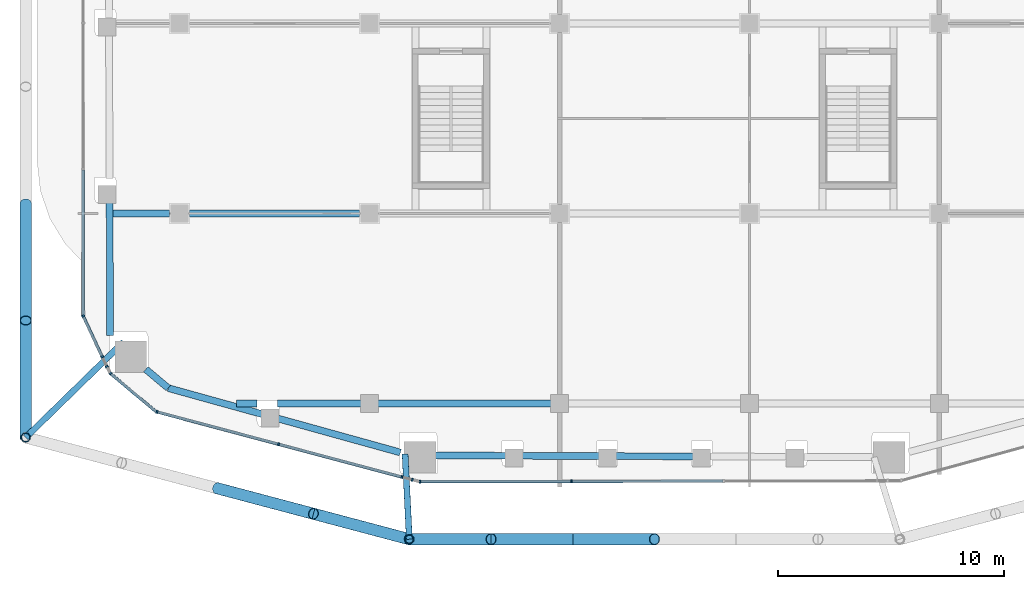
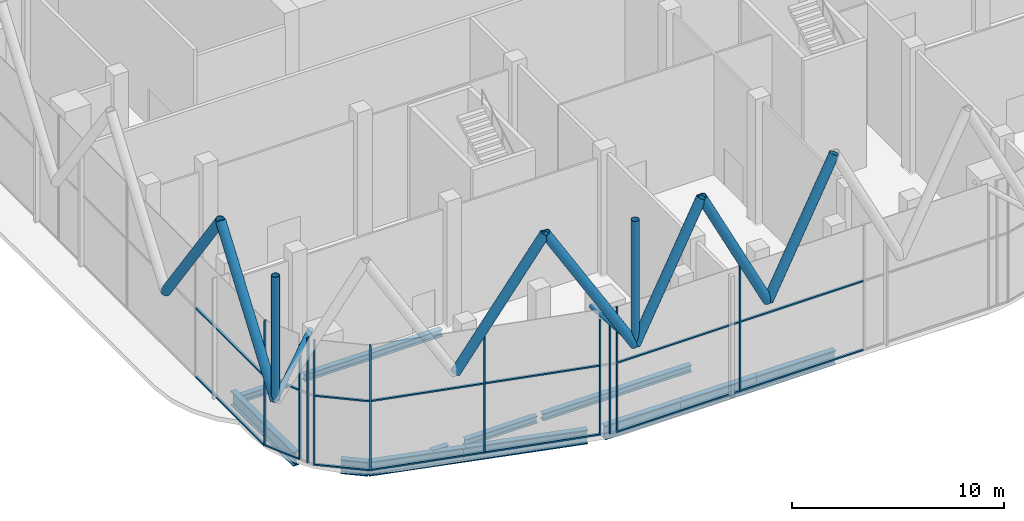
# One storey, part 2 of 25: 35 members, 12 beams, 9 elements without a shape of their own.
"""IFC4 building model written with IfcOpenShell, lengths in metres."""

from ifc_helpers import new_model, si_unit, direction, frame, origin, origin_2d, place, context, subcontext, project, spatial, rectangle, hollow_circle, i_section, extrude, material, layer, layer_set, material_profile, profile_set, type_object, element, aggregate, save


model = new_model("IFC4")

# Units and contexts
model_context = context("Model", 3, precision=1e-05, world=origin(), true_north=direction((0.0, 1.0)))
body_context = subcontext(model_context, "Body", "Model", "MODEL_VIEW")
ifc_project = project(units=[si_unit("LENGTHUNIT", "METRE"), si_unit("AREAUNIT", "SQUARE_METRE"), si_unit("VOLUMEUNIT", "CUBIC_METRE"), si_unit("PLANEANGLEUNIT", "RADIAN"), si_unit("MASSUNIT", "GRAM", prefix="KILO")], contexts=[model_context])

# Site, building, storey
site_placement = place(None, origin())
site = spatial("IfcSite", under=ifc_project, at=site_placement, CompositionType="ELEMENT")
building_placement = place(site_placement, origin())
building = spatial("IfcBuilding", under=site, at=building_placement, Name="Marenta Gate Hotel Tower", CompositionType="ELEMENT")
storey_placement = place(building_placement, frame((0.0, 0.0, 180.5)))
storey = spatial("IfcBuildingStorey", under=building, at=storey_placement, Name="L41", CompositionType="ELEMENT", Elevation=180.5)

# Members
ifc_material_1 = material(Name="Steel S355J2W", Category="steel")
ifc_material_profile_1 = material_profile(ifc_material_1, hollow_circle(Radius=0.203125, WallThickness=0.02490234375, at=origin_2d()), Name="CHS 406.4x25")
ifc_profile_set_1 = profile_set([ifc_material_profile_1], Name="Steel S355J2W")
member_type_1 = type_object("IfcMemberType", Name="Diagrid corner post Z3 CHS 406.4x25", PredefinedType="POST", material=ifc_profile_set_1)
for number, where, z_axis, x_axis, name in (
    (1, (-10.839111328125, -31.199951171875, 6.739990234375), (0.0, 0.0, 1.0), (1.0, 0.0, 0.0), "L41-DR-4"),
    (2, (-27.800048828125, -26.7001953125, 6.739990234375), (0.0, 0.0, 1.0), (1.0, 0.0, 0.0), "L41-DR-5"),
):
    element("IfcMember", number, at=place(storey_placement, frame(where, z_axis=z_axis, x_axis=x_axis)), inside=storey, type_object=member_type_1, Name=name, PredefinedType="POST", context=body_context, shape_type="SweptSolid", body=[
        extrude(hollow_circle(Radius=0.203125, WallThickness=0.02490234375, at=origin_2d()), origin(), (0.0, 0.0, 1.0), 7.199951171875),
    ])
ifc_material_2 = material(Name="Steel S355J2W", Category="steel")
ifc_material_profile_2 = material_profile(ifc_material_2, hollow_circle(Radius=0.25390625, WallThickness=0.02490234375, at=origin_2d()), Name="CHS 508x25")
ifc_profile_set_2 = profile_set([ifc_material_profile_2], Name="Steel S355J2W")
member_type_2 = type_object("IfcMemberType", Name="Diagrid diagonal Z3 CHS 508x25", PredefinedType="BRACE", material=ifc_profile_set_2)
for number, where, z_axis, x_axis, name in (
    (3, (-3.613037109375, -31.199951171875, 6.739990234375), (0.44851025603, 0.0, 0.893777685018), (0.0, 1.0, 0.0), "L41-DG-18"),
    (4, (-3.613037109375, -31.199951171875, 6.739990234375), (-0.44851025603, 0.0, 0.893777685018), (0.0, -1.0, 0.0), "L41-DG-19"),
    (5, (-10.839111328125, -31.199951171875, 6.739990234375), (0.44851025603, 0.0, 0.893777685018), (0.0, 1.0, 0.0), "L41-DG-20"),
):
    element("IfcMember", number, at=place(storey_placement, frame(where, z_axis=z_axis, x_axis=x_axis)), inside=storey, type_object=member_type_2, Name=name, PredefinedType="BRACE", context=body_context, shape_type="SweptSolid", body=[
        extrude(hollow_circle(Radius=0.25390625, WallThickness=0.02490234375, at=origin_2d()), origin(), (0.0, 0.0, 1.0), 8.0556640625),
    ])
for number, where, z_axis, x_axis, name in (
    (6, (-10.839111328125, -31.199951171875, 6.739990234375), (-0.502924018666, 0.133433548941, 0.853968921838), (-0.256443187528, -0.96655930577, 0.0), "L41-DG-21"),
    (7, (-19.319580078125, -28.9501953125, 6.739990234375), (0.502925961678, -0.133405107407, 0.853972221087), (0.256391194513, 0.966573098827, 0.0), "L41-DG-22"),
):
    element("IfcMember", number, at=place(storey_placement, frame(where, z_axis=z_axis, x_axis=x_axis)), inside=storey, type_object=member_type_2, Name=name, PredefinedType="BRACE", context=body_context, shape_type="SweptSolid", body=[
        extrude(hollow_circle(Radius=0.25390625, WallThickness=0.02490234375, at=origin_2d()), origin(), (0.0, 0.0, 1.0), 8.43115234375),
    ])
member_1_placement = place(storey_placement, frame((-27.800048828125, -26.7001953125, 6.739990234375), z_axis=(0.0, 0.583279014058, 0.812271870595), x_axis=(-1.0, 0.0, 0.0)))
element("IfcMember", 8, at=member_1_placement, inside=storey, type_object=member_type_2, Name="L41-DG-25", PredefinedType="BRACE", context=body_context, shape_type="SweptSolid", body=[
    extrude(hollow_circle(Radius=0.25390625, WallThickness=0.02490234375, at=origin_2d()), origin(), (0.0, 0.0, 1.0), 8.864013671875),
])
member_2_placement = place(storey_placement, frame((-27.800048828125, -16.360107421875, 6.739990234375), z_axis=(0.0, -0.583260841117, 0.812284919975), x_axis=(1.0, 0.0, 0.0)))
element("IfcMember", 9, at=member_2_placement, inside=storey, type_object=member_type_2, Name="L41-DG-26", PredefinedType="BRACE", context=body_context, shape_type="SweptSolid", body=[
    extrude(hollow_circle(Radius=0.25390625, WallThickness=0.02490234375, at=origin_2d()), origin(), (0.0, 0.0, 1.0), 8.86376953125),
])

# Beams
ifc_material_3 = material(Name="Steel S355", Category="steel")
ifc_material_profile_3 = material_profile(ifc_material_3, i_section(OverallWidth=0.302978515625, OverallDepth=0.81396484375, WebThickness=0.030029296875, FlangeThickness=0.052001953125, FilletRadius=0.030029296875, at=origin_2d()), Name="HEM 800")
ifc_profile_set_3 = profile_set([ifc_material_profile_3], Name="Steel S355")
beam_type_1 = type_object("IfcBeamType", Name="Edge beam HEM 800", PredefinedType="SPANDREL", material=ifc_profile_set_3)
beam_1_placement = place(storey_placement, frame((-11.236572265625, -27.364501953125, -0.6669921875), z_axis=(-0.963624951241, 0.267258214739, 0.0), x_axis=(-0.267258214739, -0.963624951241, 0.0)))
element("IfcBeam", 10, at=beam_1_placement, inside=storey, type_object=beam_type_1, Name="L41-EB-1", PredefinedType="SPANDREL", context=body_context, shape_type="SweptSolid", body=[
    extrude(i_section(OverallWidth=0.302978515625, OverallDepth=0.81396484375, WebThickness=0.030029296875, FlangeThickness=0.052001953125, FilletRadius=0.030029296875, at=origin_2d()), origin(), (0.0, 0.0, 1.0), 6.008056640625),
])
beam_2_placement = place(storey_placement, frame((-16.948974609375, -25.780029296875, -0.6669921875), z_axis=(-0.963630474613, 0.267238298897, 0.0), x_axis=(-0.267238298897, -0.963630474613, 0.0)))
element("IfcBeam", 11, at=beam_2_placement, inside=storey, type_object=beam_type_1, Name="L41-EB-2", PredefinedType="SPANDREL", context=body_context, shape_type="SweptSolid", body=[
    extrude(i_section(OverallWidth=0.302978515625, OverallDepth=0.81396484375, WebThickness=0.030029296875, FlangeThickness=0.052001953125, FilletRadius=0.030029296875, at=origin_2d()), origin(), (0.0, 0.0, 1.0), 4.719482421875),
])
beam_3_placement = place(storey_placement, frame((-21.496826171875, -24.518798828125, -0.6669921875), z_axis=(-0.767065103149, 0.641569269472, 0.0), x_axis=(-0.641569269472, -0.767065103149, 0.0)))
element("IfcBeam", 12, at=beam_3_placement, inside=storey, type_object=beam_type_1, Name="L41-EB-3", PredefinedType="SPANDREL", context=body_context, shape_type="SweptSolid", body=[
    extrude(i_section(OverallWidth=0.302978515625, OverallDepth=0.81396484375, WebThickness=0.030029296875, FlangeThickness=0.052001953125, FilletRadius=0.030029296875, at=origin_2d()), origin(), (0.0, 0.0, 1.0), 1.299560546875),
])
beam_4_placement = place(storey_placement, frame((-24.07177734375, -22.1826171875, -0.6669921875), z_axis=(-0.003326938254, 0.999994465726, 0.0), x_axis=(-0.999994465726, -0.003326938254, 0.0)))
element("IfcBeam", 13, at=beam_4_placement, inside=storey, type_object=beam_type_1, Name="L41-EB-4", PredefinedType="SPANDREL", context=body_context, shape_type="SweptSolid", body=[
    extrude(i_section(OverallWidth=0.302978515625, OverallDepth=0.81396484375, WebThickness=0.030029296875, FlangeThickness=0.052001953125, FilletRadius=0.030029296875, at=origin_2d()), origin(), (0.0, 0.0, 1.0), 5.87060546875),
])
for number, where, z_axis, x_axis, name in (
    (14, (2.113525390625, -27.541015625, -0.6669921875), (-0.999992511062, 0.003870118891, 0.0), (-0.003870118891, -0.999992511062, 0.0), "L41-EB-32"),
    (15, (-2.033203125, -27.52490234375, -0.6669921875), (-0.999992732942, 0.003812356768, 0.0), (-0.003812356768, -0.999992732942, 0.0), "L41-EB-33"),
):
    element("IfcBeam", number, at=place(storey_placement, frame(where, z_axis=z_axis, x_axis=x_axis)), inside=storey, type_object=beam_type_1, Name=name, PredefinedType="SPANDREL", context=body_context, shape_type="SweptSolid", body=[
        extrude(i_section(OverallWidth=0.302978515625, OverallDepth=0.81396484375, WebThickness=0.030029296875, FlangeThickness=0.052001953125, FilletRadius=0.030029296875, at=origin_2d()), origin(), (0.0, 0.0, 1.0), 4.2265625),
    ])
beam_5_placement = place(storey_placement, frame((-6.1796875, -27.509033203125, -0.6669921875), z_axis=(-0.999992510197, 0.003870342452, 0.0), x_axis=(-0.003870342452, -0.999992510197, 0.0)))
element("IfcBeam", 16, at=beam_5_placement, inside=storey, type_object=beam_type_1, Name="L41-EB-34", PredefinedType="SPANDREL", context=body_context, shape_type="SweptSolid", body=[
    extrude(i_section(OverallWidth=0.302978515625, OverallDepth=0.81396484375, WebThickness=0.030029296875, FlangeThickness=0.052001953125, FilletRadius=0.030029296875, at=origin_2d()), origin(), (0.0, 0.0, 1.0), 4.226318359375),
])

# Members
ifc_material_4 = material(Name="Steel S355J2W", Category="steel")
ifc_material_profile_4 = material_profile(ifc_material_4, hollow_circle(Radius=0.136474609375, WallThickness=0.012451171875, at=origin_2d()), Name="CHS 273x12.5")
ifc_profile_set_4 = profile_set([ifc_material_profile_4], Name="Steel S355J2W")
member_type_3 = type_object("IfcMemberType", Name="Floor tie CHS 273x12.5", PredefinedType="STRUT", material=ifc_profile_set_4)
member_3_placement = place(storey_placement, frame((-10.839111328125, -31.199951171875, 6.739990234375), z_axis=(-0.049850547476, 0.998756688546, 0.0), x_axis=(-0.998756688546, -0.049850547476, 0.0)))
element("IfcMember", 17, at=member_3_placement, inside=storey, type_object=member_type_3, Name="L41-DR-10", PredefinedType="STRUT", context=body_context, shape_type="SweptSolid", body=[
    extrude(hollow_circle(Radius=0.136474609375, WallThickness=0.012451171875, at=origin_2d()), origin(), (0.0, 0.0, 1.0), 3.77587890625),
])
member_4_placement = place(storey_placement, frame((-27.800048828125, -26.7001953125, 6.739990234375), z_axis=(0.715510328178, 0.698602154499, 0.0), x_axis=(-0.698602154499, 0.715510328178, 0.0)))
element("IfcMember", 18, at=member_4_placement, inside=storey, type_object=member_type_3, Name="L41-DR-11", PredefinedType="STRUT", context=body_context, shape_type="SweptSolid", body=[
    extrude(hollow_circle(Radius=0.136474609375, WallThickness=0.012451171875, at=origin_2d()), origin(), (0.0, 0.0, 1.0), 6.050048828125),
])

# Beams
ifc_material_5 = material(Name="Steel S355", Category="steel")
ifc_material_profile_5 = material_profile(ifc_material_5, i_section(OverallWidth=0.300048828125, OverallDepth=0.39990234375, WebThickness=0.013427734375, FlangeThickness=0.02392578125, FilletRadius=0.027099609375, at=origin_2d()), Name="HEB 400")
ifc_profile_set_5 = profile_set([ifc_material_profile_5], Name="Steel S355")
beam_type_2 = type_object("IfcBeamType", Name="Girder HEB 400", PredefinedType="BEAM", material=ifc_profile_set_5)
beam_6_placement = place(storey_placement, frame((-18.4736328125, -25.199951171875, -0.4599609375), z_axis=(1.0, 0.0, 0.0), x_axis=(0.0, 1.0, 0.0)))
element("IfcBeam", 19, at=beam_6_placement, inside=storey, type_object=beam_type_2, Name="L41-GD-1", PredefinedType="BEAM", context=body_context, shape_type="SweptSolid", body=[
    extrude(i_section(OverallWidth=0.300048828125, OverallDepth=0.39990234375, WebThickness=0.013427734375, FlangeThickness=0.02392578125, FilletRadius=0.027099609375, at=origin_2d()), origin(), (0.0, 0.0, 1.0), 0.907958984375),
])
beam_7_placement = place(storey_placement, frame((-16.665771484375, -25.199951171875, -0.4599609375), z_axis=(1.0, 0.0, 0.0), x_axis=(0.0, 1.0, 0.0)))
element("IfcBeam", 20, at=beam_7_placement, inside=storey, type_object=beam_type_2, Name="L41-GD-2", PredefinedType="BEAM", context=body_context, shape_type="SweptSolid", body=[
    extrude(i_section(OverallWidth=0.300048828125, OverallDepth=0.39990234375, WebThickness=0.013427734375, FlangeThickness=0.02392578125, FilletRadius=0.027099609375, at=origin_2d()), origin(), (0.0, 0.0, 1.0), 3.914306640625),
])
beam_8_placement = place(storey_placement, frame((-12.448486328125, -25.199951171875, -0.4599609375), z_axis=(1.0, 0.0, 0.0), x_axis=(0.0, 1.0, 0.0)))
element("IfcBeam", 21, at=beam_8_placement, inside=storey, type_object=beam_type_2, Name="L41-GD-3", PredefinedType="BEAM", context=body_context, shape_type="SweptSolid", body=[
    extrude(i_section(OverallWidth=0.300048828125, OverallDepth=0.39990234375, WebThickness=0.013427734375, FlangeThickness=0.02392578125, FilletRadius=0.027099609375, at=origin_2d()), origin(), (0.0, 0.0, 1.0), 8.096923828125),
])
beam_9_placement = place(storey_placement, frame((-23.938232421875, -16.800048828125, -0.4599609375), z_axis=(1.0, 0.0, 0.0), x_axis=(0.0, 1.0, 0.0)))
element("IfcBeam", 22, at=beam_9_placement, inside=storey, type_object=beam_type_2, Name="L41-GD-8", PredefinedType="BEAM", context=body_context, shape_type="SweptSolid", body=[
    extrude(i_section(OverallWidth=0.300048828125, OverallDepth=0.39990234375, WebThickness=0.013427734375, FlangeThickness=0.02392578125, FilletRadius=0.027099609375, at=origin_2d()), origin(), (0.0, 0.0, 1.0), 2.48828125),
])
beam_10_placement = place(storey_placement, frame((-20.550048828125, -16.800048828125, -0.4599609375), z_axis=(1.0, 0.0, 0.0), x_axis=(0.0, 1.0, 0.0)))
element("IfcBeam", 23, at=beam_10_placement, inside=storey, type_object=beam_type_2, Name="L41-GD-9", PredefinedType="BEAM", context=body_context, shape_type="SweptSolid", body=[
    extrude(i_section(OverallWidth=0.300048828125, OverallDepth=0.39990234375, WebThickness=0.013427734375, FlangeThickness=0.02392578125, FilletRadius=0.027099609375, at=origin_2d()), origin(), (0.0, 0.0, 1.0), 7.5),
])

# Curtain wall, member
ifc_material_6 = material(Name="Tinted insulated glass in bronze anodised frame", Category="glass")
ifc_layer = layer(ifc_material_6, 0.1298828125)
ifc_layer_set = layer_set([ifc_layer], Name="Tinted insulated glass in bronze anodised frame")
curtain_wall_type = type_object("IfcCurtainWallType", Name="Sky lobby glazing CW2", PredefinedType="NOTDEFINED", material=ifc_layer_set)
curtain_wall_1_placement = place(storey_placement, origin())
curtain_wall_1 = element("IfcCurtainWall", 24, at=curtain_wall_1_placement, inside=storey, type_object=curtain_wall_type, Name="CW2 run G05", PredefinedType="NOTDEFINED")
ifc_material_7 = material(Name="Bronze anodised aluminium", Category="aluminium")
ifc_material_profile_6 = material_profile(ifc_material_7, rectangle(XDim=0.1298828125, YDim=0.080078125, at=origin_2d()), Name="Mullion CW2 80x130 bronze anodised aluminium")
ifc_profile_set_6 = profile_set([ifc_material_profile_6], Name="Bronze anodised aluminium")
member_type_4 = type_object("IfcMemberType", Name="Mullion CW2 80x130 bronze anodised aluminium", PredefinedType="MULLION", material=ifc_profile_set_6)
member_5_placement = place(storey_placement, frame((-25.260986328125, -21.3310546875, 0.0), z_axis=(0.0, 0.0, 1.0), x_axis=(0.905977695411, 0.423325424961, 0.0)))
member_5 = element("IfcMember", 25, at=member_5_placement, type_object=member_type_4, Name="CW2 mullion 1", PredefinedType="MULLION", context=body_context, shape_type="SweptSolid", body=[
    extrude(rectangle(XDim=0.1298828125, YDim=0.080078125, at=origin_2d()), origin(), (0.0, 0.0, 1.0), 7.199951171875),
])

curtain_wall_2_placement = place(storey_placement, origin())
curtain_wall_2 = element("IfcCurtainWall", 26, at=curtain_wall_2_placement, inside=storey, type_object=curtain_wall_type, Name="CW2 run G06", PredefinedType="NOTDEFINED")
member_6_placement = place(storey_placement, frame((-24.41845703125, -23.134521484375, 0.0), z_axis=(0.0, 0.0, 1.0), x_axis=(0.905948786251, 0.423387289241, 0.0)))
member_6 = element("IfcMember", 27, at=member_6_placement, type_object=member_type_4, Name="CW2 mullion 1", PredefinedType="MULLION", context=body_context, shape_type="SweptSolid", body=[
    extrude(rectangle(XDim=0.1298828125, YDim=0.080078125, at=origin_2d()), origin(), (0.0, 0.0, 1.0), 6.6005859375),
])
aggregate(curtain_wall_2, [member_6])

curtain_wall_3_placement = place(storey_placement, origin())
curtain_wall_3 = element("IfcCurtainWall", 28, at=curtain_wall_3_placement, inside=storey, type_object=curtain_wall_type, Name="CW2 run G07", PredefinedType="NOTDEFINED")
member_7_placement = place(storey_placement, frame((-24.215087890625, -23.5693359375, 0.0), z_axis=(0.0, 0.0, 1.0), x_axis=(0.905899791297, 0.423492111058, 0.0)))
member_7 = element("IfcMember", 29, at=member_7_placement, type_object=member_type_4, Name="CW2 mullion 1", PredefinedType="MULLION", context=body_context, shape_type="SweptSolid", body=[
    extrude(rectangle(XDim=0.1298828125, YDim=0.080078125, at=origin_2d()), origin(), (0.0, 0.0, 1.0), 7.199951171875),
])
aggregate(curtain_wall_3, [member_7])

curtain_wall_4_placement = place(storey_placement, origin())
curtain_wall_4 = element("IfcCurtainWall", 30, at=curtain_wall_4_placement, inside=storey, type_object=curtain_wall_type, Name="CW2 run G08", PredefinedType="NOTDEFINED")
member_8_placement = place(storey_placement, frame((-24.05615234375, -23.869384765625, 0.0), z_axis=(0.0, 0.0, 1.0), x_axis=(0.641538380308, 0.767090937628, 0.0)))
member_8 = element("IfcMember", 31, at=member_8_placement, type_object=member_type_4, Name="CW2 mullion 1", PredefinedType="MULLION", context=body_context, shape_type="SweptSolid", body=[
    extrude(rectangle(XDim=0.1298828125, YDim=0.080078125, at=origin_2d()), origin(), (0.0, 0.0, 1.0), 7.199951171875),
])

# Curtain wall, members
curtain_wall_5_placement = place(storey_placement, origin())
curtain_wall_5 = element("IfcCurtainWall", 32, at=curtain_wall_5_placement, inside=storey, type_object=curtain_wall_type, Name="CW2 run G09", PredefinedType="NOTDEFINED")
member_9_placement = place(storey_placement, frame((-21.9990234375, -25.56787109375, 0.0), z_axis=(0.0, 0.0, 1.0), x_axis=(0.257138531131, 0.966374552546, 0.0)))
member_9 = element("IfcMember", 33, at=member_9_placement, type_object=member_type_4, Name="CW2 mullion 1", PredefinedType="MULLION", context=body_context, shape_type="SweptSolid", body=[
    extrude(rectangle(XDim=0.1298828125, YDim=0.080078125, at=origin_2d()), origin(), (0.0, 0.0, 1.0), 7.199951171875),
])
member_10_placement = place(storey_placement, frame((-16.62060546875, -26.9990234375, 0.0), z_axis=(0.0, 0.0, 1.0), x_axis=(0.257138531131, 0.966374552546, 0.0)))
member_10 = element("IfcMember", 34, at=member_10_placement, type_object=member_type_4, Name="CW2 mullion 2", PredefinedType="MULLION", context=body_context, shape_type="SweptSolid", body=[
    extrude(rectangle(XDim=0.1298828125, YDim=0.080078125, at=origin_2d()), origin(), (0.0, 0.0, 1.0), 7.199951171875),
])

# Curtain wall, member
curtain_wall_6_placement = place(storey_placement, origin())
curtain_wall_6 = element("IfcCurtainWall", 35, at=curtain_wall_6_placement, inside=storey, type_object=curtain_wall_type, Name="CW2 run G10", PredefinedType="NOTDEFINED")
member_11_placement = place(storey_placement, frame((-11.1650390625, -28.45068359375, 0.0), z_axis=(0.0, 0.0, 1.0), x_axis=(0.257152224039, 0.966370908953, 0.0)))
member_11 = element("IfcMember", 36, at=member_11_placement, type_object=member_type_4, Name="CW2 mullion 1", PredefinedType="MULLION", context=body_context, shape_type="SweptSolid", body=[
    extrude(rectangle(XDim=0.1298828125, YDim=0.080078125, at=origin_2d()), origin(), (0.0, 0.0, 1.0), 6.6005859375),
])
aggregate(curtain_wall_6, [member_11])

curtain_wall_7_placement = place(storey_placement, origin())
curtain_wall_7 = element("IfcCurtainWall", 37, at=curtain_wall_7_placement, inside=storey, type_object=curtain_wall_type, Name="CW2 run G11", PredefinedType="NOTDEFINED")
member_12_placement = place(storey_placement, frame((-10.705322265625, -28.572998046875, 0.0), z_axis=(0.0, 0.0, 1.0), x_axis=(0.257199130535, 0.966358425871, 0.0)))
member_12 = element("IfcMember", 38, at=member_12_placement, type_object=member_type_4, Name="CW2 mullion 1", PredefinedType="MULLION", context=body_context, shape_type="SweptSolid", body=[
    extrude(rectangle(XDim=0.1298828125, YDim=0.080078125, at=origin_2d()), origin(), (0.0, 0.0, 1.0), 7.199951171875),
])
aggregate(curtain_wall_7, [member_12])

# Curtain wall, members
curtain_wall_8_placement = place(storey_placement, origin())
curtain_wall_8 = element("IfcCurtainWall", 39, at=curtain_wall_8_placement, inside=storey, type_object=curtain_wall_type, Name="CW2 run G12", PredefinedType="NOTDEFINED")
member_13_placement = place(storey_placement, frame((-10.36669921875, -28.65234375, 0.0), z_axis=(0.0, 0.0, 1.0), x_axis=(-0.001643318084, 0.999998649752, 0.0)))
member_13 = element("IfcMember", 40, at=member_13_placement, type_object=member_type_4, Name="CW2 mullion 1", PredefinedType="MULLION", context=body_context, shape_type="SweptSolid", body=[
    extrude(rectangle(XDim=0.1298828125, YDim=0.080078125, at=origin_2d()), origin(), (0.0, 0.0, 1.0), 7.199951171875),
])
member_14_placement = place(storey_placement, frame((-3.67236328125, -28.641357421875, 0.0), z_axis=(0.0, 0.0, 1.0), x_axis=(-0.001643318084, 0.999998649752, 0.0)))
member_14 = element("IfcMember", 41, at=member_14_placement, type_object=member_type_4, Name="CW2 mullion 2", PredefinedType="MULLION", context=body_context, shape_type="SweptSolid", body=[
    extrude(rectangle(XDim=0.1298828125, YDim=0.080078125, at=origin_2d()), origin(), (0.0, 0.0, 1.0), 7.199951171875),
])

curtain_wall_9_placement = place(storey_placement, origin())
curtain_wall_9 = element("IfcCurtainWall", 42, at=curtain_wall_9_placement, inside=storey, type_object=curtain_wall_type, Name="CW2 run G04", PredefinedType="NOTDEFINED")
ifc_material_8 = material(Name="Bronze anodised aluminium", Category="aluminium")
ifc_material_profile_7 = material_profile(ifc_material_8, rectangle(XDim=0.1298828125, YDim=0.080078125, at=origin_2d()), Name="Transom CW2 80x130 bronze anodised aluminium")
ifc_profile_set_7 = profile_set([ifc_material_profile_7], Name="Bronze anodised aluminium")
member_type_5 = type_object("IfcMemberType", Name="Transom CW2 80x130 bronze anodised aluminium", PredefinedType="USERDEFINED", material=ifc_profile_set_7)
member_15_placement = place(storey_placement, frame((-25.26806640625, -14.87451171875, 0.0400390625), z_axis=(-0.001559052026, -0.999998784678, 0.0), x_axis=(0.999998784678, -0.001559052026, 0.0)))
member_15 = element("IfcMember", 43, at=member_15_placement, type_object=member_type_5, Name="CW2 transom 6.1", ObjectType="TRANSOM", PredefinedType="USERDEFINED", context=body_context, shape_type="SweptSolid", body=[
    extrude(rectangle(XDim=0.1298828125, YDim=0.080078125, at=origin_2d()), origin(), (0.0, 0.0, 1.0), 6.42041015625),
])
member_16_placement = place(storey_placement, frame((-25.26806640625, -14.87451171875, 4.0), z_axis=(-0.001559052026, -0.999998784678, 0.0), x_axis=(0.999998784678, -0.001559052026, 0.0)))
member_16 = element("IfcMember", 44, at=member_16_placement, type_object=member_type_5, Name="CW2 transom 6.2", ObjectType="TRANSOM", PredefinedType="USERDEFINED", context=body_context, shape_type="SweptSolid", body=[
    extrude(rectangle(XDim=0.1298828125, YDim=0.080078125, at=origin_2d()), origin(), (0.0, 0.0, 1.0), 6.42041015625),
])
aggregate(curtain_wall_9, [member_15, member_16])

# Member
member_17_placement = place(storey_placement, frame((-25.244140625, -21.367431640625, 0.0400390625), z_axis=(0.423340109038, -0.905970834012, 0.0), x_axis=(0.905970834012, 0.423340109038, 0.0)))
member_17 = element("IfcMember", 45, at=member_17_placement, type_object=member_type_5, Name="CW2 transom 1.1", ObjectType="TRANSOM", PredefinedType="USERDEFINED", context=body_context, shape_type="SweptSolid", body=[
    extrude(rectangle(XDim=0.1298828125, YDim=0.080078125, at=origin_2d()), origin(), (0.0, 0.0, 1.0), 1.91064453125),
])

member_18_placement = place(storey_placement, frame((-25.244140625, -21.367431640625, 4.0), z_axis=(0.423340109038, -0.905970834012, 0.0), x_axis=(0.905970834012, 0.423340109038, 0.0)))
member_18 = element("IfcMember", 46, at=member_18_placement, type_object=member_type_5, Name="CW2 transom 1.2", ObjectType="TRANSOM", PredefinedType="USERDEFINED", context=body_context, shape_type="SweptSolid", body=[
    extrude(rectangle(XDim=0.1298828125, YDim=0.080078125, at=origin_2d()), origin(), (0.0, 0.0, 1.0), 1.91064453125),
])

aggregate(curtain_wall_1, [member_5, member_17, member_18])

member_19_placement = place(storey_placement, frame((-24.025634765625, -23.89501953125, 0.0400390625), z_axis=(0.767100470941, -0.641526981102, 0.0), x_axis=(0.641526981102, 0.767100470941, 0.0)))
member_19 = element("IfcMember", 47, at=member_19_placement, type_object=member_type_5, Name="CW2 transom 1.1", ObjectType="TRANSOM", PredefinedType="USERDEFINED", context=body_context, shape_type="SweptSolid", body=[
    extrude(rectangle(XDim=0.1298828125, YDim=0.080078125, at=origin_2d()), origin(), (0.0, 0.0, 1.0), 2.591552734375),
])

member_20_placement = place(storey_placement, frame((-24.025634765625, -23.89501953125, 4.0), z_axis=(0.767100470941, -0.641526981102, 0.0), x_axis=(0.641526981102, 0.767100470941, 0.0)))
member_20 = element("IfcMember", 48, at=member_20_placement, type_object=member_type_5, Name="CW2 transom 1.2", ObjectType="TRANSOM", PredefinedType="USERDEFINED", context=body_context, shape_type="SweptSolid", body=[
    extrude(rectangle(XDim=0.1298828125, YDim=0.080078125, at=origin_2d()), origin(), (0.0, 0.0, 1.0), 2.591552734375),
])

aggregate(curtain_wall_4, [member_8, member_19, member_20])

member_21_placement = place(storey_placement, frame((-21.96044921875, -25.578125, 0.0400390625), z_axis=(0.966369250889, -0.257158454918, 0.0), x_axis=(0.257158454918, 0.966369250889, 0.0)))
member_21 = element("IfcMember", 49, at=member_21_placement, type_object=member_type_5, Name="CW2 transom 1.1", ObjectType="TRANSOM", PredefinedType="USERDEFINED", context=body_context, shape_type="SweptSolid", body=[
    extrude(rectangle(XDim=0.1298828125, YDim=0.080078125, at=origin_2d()), origin(), (0.0, 0.0, 1.0), 5.485595703125),
])

member_22_placement = place(storey_placement, frame((-21.96044921875, -25.578125, 4.0), z_axis=(0.966369250889, -0.257158454918, 0.0), x_axis=(0.257158454918, 0.966369250889, 0.0)))
member_22 = element("IfcMember", 50, at=member_22_placement, type_object=member_type_5, Name="CW2 transom 1.2", ObjectType="TRANSOM", PredefinedType="USERDEFINED", context=body_context, shape_type="SweptSolid", body=[
    extrude(rectangle(XDim=0.1298828125, YDim=0.080078125, at=origin_2d()), origin(), (0.0, 0.0, 1.0), 5.485595703125),
])

member_23_placement = place(storey_placement, frame((-16.58203125, -27.00927734375, 0.0400390625), z_axis=(0.9663731337, -0.257143863357, 0.0), x_axis=(0.257143863357, 0.9663731337, 0.0)))
member_23 = element("IfcMember", 51, at=member_23_placement, type_object=member_type_5, Name="CW2 transom 2.1", ObjectType="TRANSOM", PredefinedType="USERDEFINED", context=body_context, shape_type="SweptSolid", body=[
    extrude(rectangle(XDim=0.1298828125, YDim=0.080078125, at=origin_2d()), origin(), (0.0, 0.0, 1.0), 5.565673828125),
])

member_24_placement = place(storey_placement, frame((-16.58203125, -27.00927734375, 4.0), z_axis=(0.9663731337, -0.257143863357, 0.0), x_axis=(0.257143863357, 0.9663731337, 0.0)))
member_24 = element("IfcMember", 52, at=member_24_placement, type_object=member_type_5, Name="CW2 transom 2.2", ObjectType="TRANSOM", PredefinedType="USERDEFINED", context=body_context, shape_type="SweptSolid", body=[
    extrude(rectangle(XDim=0.1298828125, YDim=0.080078125, at=origin_2d()), origin(), (0.0, 0.0, 1.0), 5.565673828125),
])

aggregate(curtain_wall_5, [member_9, member_10, member_21, member_22, member_23, member_24])

member_25_placement = place(storey_placement, frame((-10.32666015625, -28.65234375, 0.0400390625), z_axis=(0.999998681257, 0.001624033587, 0.0), x_axis=(-0.001624033587, 0.999998681257, 0.0)))
member_25 = element("IfcMember", 53, at=member_25_placement, type_object=member_type_5, Name="CW2 transom 1.1", ObjectType="TRANSOM", PredefinedType="USERDEFINED", context=body_context, shape_type="SweptSolid", body=[
    extrude(rectangle(XDim=0.1298828125, YDim=0.080078125, at=origin_2d()), origin(), (0.0, 0.0, 1.0), 6.614501953125),
])

member_26_placement = place(storey_placement, frame((-10.32666015625, -28.65234375, 4.0), z_axis=(0.999998681257, 0.001624033587, 0.0), x_axis=(-0.001624033587, 0.999998681257, 0.0)))
member_26 = element("IfcMember", 54, at=member_26_placement, type_object=member_type_5, Name="CW2 transom 1.2", ObjectType="TRANSOM", PredefinedType="USERDEFINED", context=body_context, shape_type="SweptSolid", body=[
    extrude(rectangle(XDim=0.1298828125, YDim=0.080078125, at=origin_2d()), origin(), (0.0, 0.0, 1.0), 6.614501953125),
])

member_27_placement = place(storey_placement, frame((-3.63232421875, -28.641357421875, 0.0400390625), z_axis=(0.999998637081, 0.001651010371, 0.0), x_axis=(-0.001651010371, 0.999998637081, 0.0)))
member_27 = element("IfcMember", 55, at=member_27_placement, type_object=member_type_5, Name="CW2 transom 2.1", ObjectType="TRANSOM", PredefinedType="USERDEFINED", context=body_context, shape_type="SweptSolid", body=[
    extrude(rectangle(XDim=0.1298828125, YDim=0.080078125, at=origin_2d()), origin(), (0.0, 0.0, 1.0), 6.654296875),
])

member_28_placement = place(storey_placement, frame((-3.63232421875, -28.641357421875, 4.0), z_axis=(0.999998637081, 0.001651010371, 0.0), x_axis=(-0.001651010371, 0.999998637081, 0.0)))
member_28 = element("IfcMember", 56, at=member_28_placement, type_object=member_type_5, Name="CW2 transom 2.2", ObjectType="TRANSOM", PredefinedType="USERDEFINED", context=body_context, shape_type="SweptSolid", body=[
    extrude(rectangle(XDim=0.1298828125, YDim=0.080078125, at=origin_2d()), origin(), (0.0, 0.0, 1.0), 6.654296875),
])

aggregate(curtain_wall_8, [member_13, member_14, member_25, member_26, member_27, member_28])

save(model, "model.ifc")
